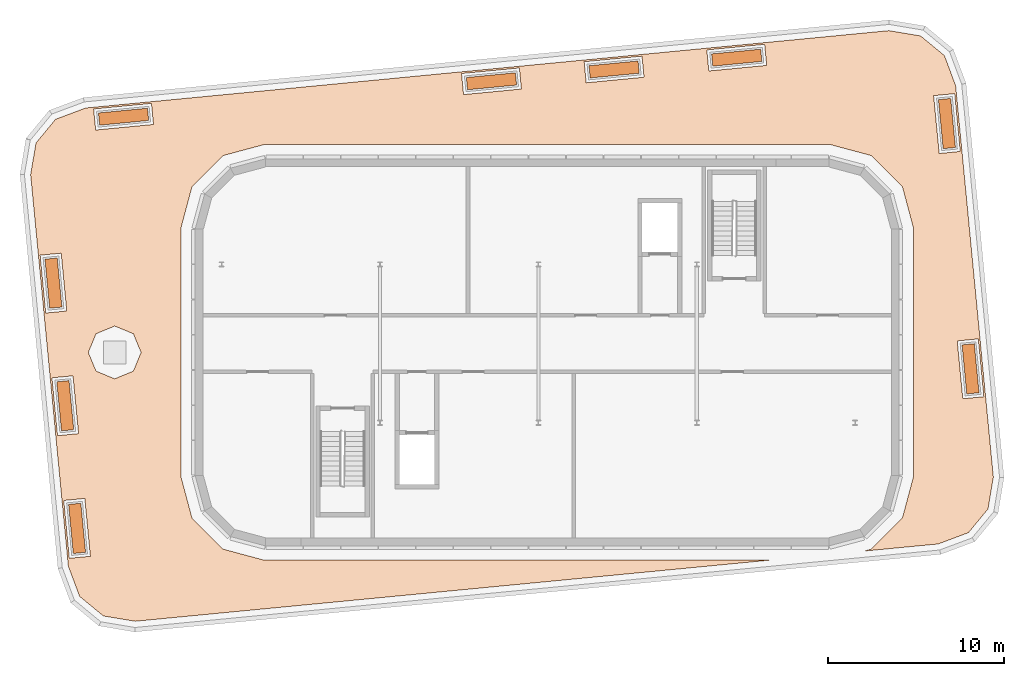
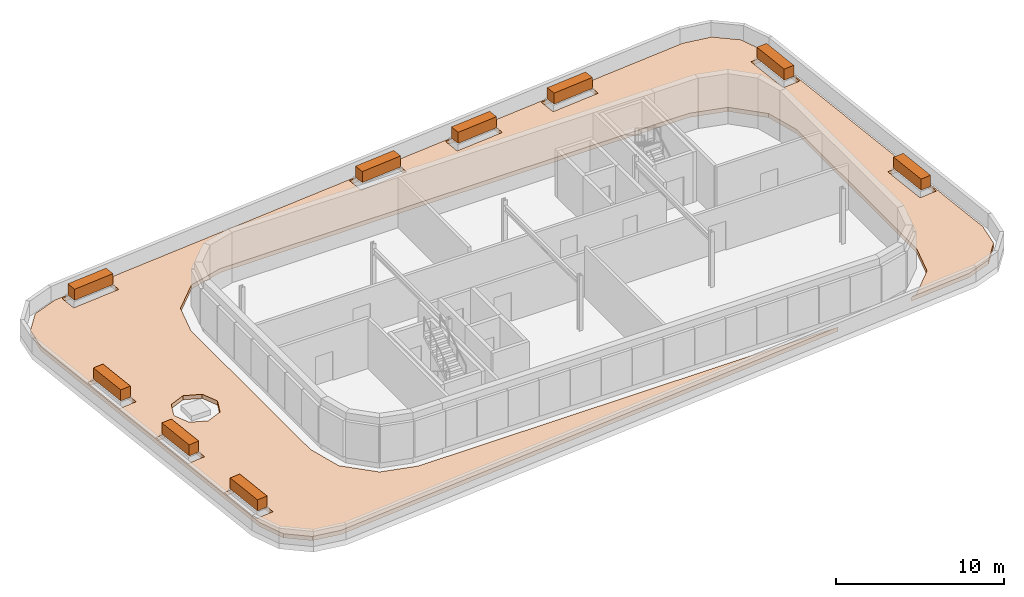
# One storey, part 6 of 6: 10 geographic elements.
"""IFC4 building model written with IfcOpenShell, lengths in metres."""

import ifcopenshell
import ifcopenshell.guid

model = None  # the IFC model being written
_history = None  # IfcOwnerHistory: only IFC2X3 demands one
_inside = {}  # id of a spatial element -> (the spatial element, [elements in it])
_under = {}  # id of a project, library or spatial element -> (it, [spatial elements below it])
_declared = {}  # id of a project -> (the project, [libraries it declares])
_typed = {}  # id of a type object -> (the type object, [elements of that type])
_made_of = {}  # id of a material, layer set ... -> (it, [elements and type objects made of it])


def new_model(schema):
    """Start an empty IFC model of exactly this schema.

    Asked for "IFC4X3", IfcOpenShell would pick the latest addendum, in which some entities
    have other attributes; the version numbers below select the first issue.
    IFC2X3 requires an IfcOwnerHistory on every rooted entity: one is made here for all.
    """
    global model, _history
    if schema == "IFC4X3":
        model = ifcopenshell.file(schema_version=(4, 3, 0, 0))
    else:
        model = ifcopenshell.file(schema=schema)
    _inside.clear()
    _under.clear()
    _declared.clear()
    _typed.clear()
    _made_of.clear()
    _history = None
    if model.schema == "IFC2X3":
        org = make("IfcOrganization", Name="unknown")
        user = make(
            "IfcPersonAndOrganization",
            ThePerson=make("IfcPerson", FamilyName="unknown"),
            TheOrganization=org,
        )
        app = make(
            "IfcApplication",
            ApplicationDeveloper=org,
            Version="unknown",
            ApplicationFullName="unknown",
            ApplicationIdentifier="unknown",
        )
        _history = make(
            "IfcOwnerHistory",
            OwningUser=user,
            OwningApplication=app,
            ChangeAction="ADDED",
            CreationDate=0,
        )
    return model


def make(cls, **values):
    """One entity of the class cls with the attributes given. An attribute that is None is left unset."""
    return model.create_entity(
        cls, **{name: value for name, value in values.items() if value is not None}
    )


def rooted(cls, **values):
    """An entity with a GlobalId (a new one), such as an element, a storey or a relation."""
    return make(cls, GlobalId=ifcopenshell.guid.new(), OwnerHistory=_history, **values)


def si_unit(unit_type, name, prefix=None):
    """IfcSIUnit, for example si_unit("LENGTHUNIT", "METRE", prefix="MILLI")."""
    return make("IfcSIUnit", UnitType=unit_type, Prefix=prefix, Name=name)


def assignment(units):
    """IfcUnitAssignment: the units of a project."""
    return None if units is None else make("IfcUnitAssignment", Units=units)


def point(xyz):
    """IfcCartesianPoint."""
    return None if xyz is None else make("IfcCartesianPoint", Coordinates=xyz)


def direction(xyz):
    """IfcDirection."""
    return None if xyz is None else make("IfcDirection", DirectionRatios=xyz)


def frame(location, z_axis=None, x_axis=None):
    """IfcAxis2Placement3D, a coordinate frame: its origin and axes. An axis left out is left unset."""
    return make(
        "IfcAxis2Placement3D",
        Location=point(location),
        Axis=direction(z_axis),
        RefDirection=direction(x_axis),
    )


def frame_2d(location, x_axis=None):
    """IfcAxis2Placement2D, a coordinate frame in the plane: its origin and x axis."""
    return make(
        "IfcAxis2Placement2D", Location=point(location), RefDirection=direction(x_axis)
    )


def origin():
    """The frame at (0, 0, 0) with its axes left unset."""
    return frame((0.0, 0.0, 0.0))


def origin_2d():
    """The frame at (0, 0) in the plane with its x axis left unset."""
    return frame_2d((0.0, 0.0))


def place(relative_to, where):
    """IfcLocalPlacement: puts the frame where relative to a parent placement (None: the world)."""
    return make(
        "IfcLocalPlacement", PlacementRelTo=relative_to, RelativePlacement=where
    )


def context(
    kind, dimensions, precision=None, world=None, true_north=None, identifier=None
):
    """IfcGeometricRepresentationContext, for example the 3D "Model" context."""
    return make(
        "IfcGeometricRepresentationContext",
        ContextIdentifier=identifier,
        ContextType=kind,
        CoordinateSpaceDimension=dimensions,
        Precision=precision,
        WorldCoordinateSystem=world,
        TrueNorth=true_north,
    )


def subcontext(parent, identifier, kind, view, scale=None):
    """IfcGeometricRepresentationSubContext, for example "Body" below "Model"."""
    return make(
        "IfcGeometricRepresentationSubContext",
        ContextIdentifier=identifier,
        ContextType=kind,
        ParentContext=parent,
        TargetScale=scale,
        TargetView=view,
    )


def project(units=None, contexts=None):
    """IfcProject with its units and contexts."""
    return rooted(
        "IfcProject",
        Name="project",
        RepresentationContexts=contexts,
        UnitsInContext=assignment(units),
    )


def spatial(cls, under=None, at=None, **own):
    """A site, building, storey or space (cls), placed at a placement, below another one or the project."""
    s = rooted(cls, ObjectPlacement=at, **own)
    if under is not None:
        _under.setdefault(under.id(), (under, []))[1].append(s)
    return s


def polyline(points):
    """IfcPolyline through the points."""
    return make("IfcPolyline", Points=[point(p) for p in points])


def profile(cls, at=None, kind="AREA", **sizes):
    """A parametric profile (cls). Its sizes go by their IFC names, for example OverallWidth=200.0."""
    return make(cls, ProfileType=kind, Position=at, **sizes)


def rectangle(**sizes):
    """IfcRectangleProfileDef."""
    return profile("IfcRectangleProfileDef", **sizes)


def outline(outer, holes=None, kind="AREA"):
    """IfcArbitraryClosedProfileDef: a profile drawn as a closed curve; with holes, ...WithVoids."""
    if holes is None:
        return make("IfcArbitraryClosedProfileDef", ProfileType=kind, OuterCurve=outer)
    return make(
        "IfcArbitraryProfileDefWithVoids",
        ProfileType=kind,
        OuterCurve=outer,
        InnerCurves=holes,
    )


def extrude(swept, where, along, depth):
    """IfcExtrudedAreaSolid: the profile swept, set in the frame where, extruded along a direction by depth."""
    return make(
        "IfcExtrudedAreaSolid",
        SweptArea=swept,
        Position=where,
        ExtrudedDirection=direction(along),
        Depth=depth,
    )


def shape(context_of_items, identifier, shape_type, items):
    """IfcShapeRepresentation: the items that make up one representation, for example the "Body"."""
    return make(
        "IfcShapeRepresentation",
        ContextOfItems=context_of_items,
        RepresentationIdentifier=identifier,
        RepresentationType=shape_type,
        Items=items,
    )


def made_of(thing, what):
    """Note that an element or type object is made of a material, layer set ...; save() writes the relation."""
    if what is not None:
        _made_of.setdefault(what.id(), (what, []))[1].append(thing)
    return thing


def element(
    cls,
    number,
    at=None,
    inside=None,
    cuts=None,
    type_object=None,
    material=None,
    context=None,
    identifier="Body",
    shape_type=None,
    held_by="IfcProductDefinitionShape",
    body=None,
    shapes=None,
    **own,
):
    """One element of the class cls, such as IfcWall. Its Tag is "e" and its number.

    at: its placement. inside: the storey or other place that contains it. cuts: it is an
    opening in that element (IfcRelVoidsElement). A single representation is given by context,
    identifier, shape_type and body (its items); several are given by shapes. held_by: the class
    of the entity that holds the representations. save() writes the other relations.
    """
    e = rooted(cls, Tag="e%d" % number, ObjectPlacement=at, **own)
    if body is not None:
        shapes = [shape(context, identifier, shape_type, body)]
    if shapes is not None:
        e.Representation = make(held_by, Representations=shapes)
    if inside is not None:
        _inside.setdefault(inside.id(), (inside, []))[1].append(e)
    if cuts is not None:
        rooted(
            "IfcRelVoidsElement", RelatingBuildingElement=cuts, RelatedOpeningElement=e
        )
    if type_object is not None:
        _typed.setdefault(type_object.id(), (type_object, []))[1].append(e)
    return made_of(e, material)


def aggregate(whole, parts):
    """IfcRelAggregates: a whole, such as a stair, and the parts it consists of."""
    return rooted("IfcRelAggregates", RelatingObject=whole, RelatedObjects=parts)


def save(model, path):
    """Write the relations noted so far, then the file.

    IfcRelAggregates (storeys below a building ...), IfcRelContainedInSpatialStructure (elements
    in a storey), IfcRelDefinesByType, IfcRelAssociatesMaterial and IfcRelDeclares: one each for
    every whole, place, type object, material and project.
    """
    for whole, parts in _under.values():
        aggregate(whole, parts)
    for where, things in _inside.values():
        rooted(
            "IfcRelContainedInSpatialStructure",
            RelatedElements=things,
            RelatingStructure=where,
        )
    for kind, things in _typed.values():
        rooted("IfcRelDefinesByType", RelatedObjects=things, RelatingType=kind)
    for what, things in _made_of.values():
        rooted("IfcRelAssociatesMaterial", RelatedObjects=things, RelatingMaterial=what)
    for by, libraries in _declared.values():
        rooted("IfcRelDeclares", RelatingContext=by, RelatedDefinitions=libraries)
    model.write(path)


model = new_model("IFC4")

# Units and contexts
model_context = context("Model", 3, precision=1e-05, world=origin(), true_north=direction((0.0, 1.0)))
body_context = subcontext(model_context, "Body", "Model", "MODEL_VIEW")
ifc_project = project(units=[si_unit("LENGTHUNIT", "METRE"), si_unit("AREAUNIT", "SQUARE_METRE"), si_unit("VOLUMEUNIT", "CUBIC_METRE"), si_unit("PLANEANGLEUNIT", "RADIAN"), si_unit("MASSUNIT", "GRAM", prefix="KILO")], contexts=[model_context])

# Site, building, storey
site_placement = place(None, origin())
site = spatial("IfcSite", under=ifc_project, at=site_placement, CompositionType="ELEMENT")
building_placement = place(site_placement, origin())
building = spatial("IfcBuilding", under=site, at=building_placement, Name="Kajstack Hotel Tower", CompositionType="ELEMENT")
storey_placement = place(building_placement, frame((0.0, 0.0, 325.800048828125)))
storey = spatial("IfcBuildingStorey", under=building, at=storey_placement, Name="L82", CompositionType="ELEMENT", Elevation=325.800048828125)

# Geographic elements
for number, where, z_axis, x_axis, name in (
    (1, (-23.570068359375, 12.889404296875, 0.60009765625), (0.0, 0.0, 1.0), (0.99539622346, 0.095845491926, 0.0), "Planting L82-01-01"),
    (2, (-2.666748046875, 14.902099609375, 0.60009765625), (0.0, 0.0, 1.0), (0.99539622346, 0.095845491926, 0.0), "Planting L82-01-02"),
    (3, (4.301025390625, 15.572998046875, 0.60009765625), (0.0, 0.0, 1.0), (0.99539622346, 0.095845491926, 0.0), "Planting L82-01-03"),
    (4, (11.268798828125, 16.243896484375, 0.60009765625), (0.0, 0.0, 1.0), (0.99539622346, 0.095845491926, 0.0), "Planting L82-01-04"),
    (5, (23.21142578125, 12.500244140625, 0.60009765625), (0.0, 0.0, 1.0), (0.095848914395, -0.995395893908, 0.0), "Planting L82-01-05"),
    (6, (24.553466796875, -1.435302734375, 0.60009765625), (0.0, 0.0, 1.0), (0.095848914395, -0.995395893908, 0.0), "Planting L82-01-06"),
    (7, (-26.21142578125, -10.500244140625, 0.60009765625), (0.0, 0.0, 1.0), (-0.095848914395, 0.995395893908, 0.0), "Planting L82-01-07"),
    (8, (-26.88232421875, -3.532470703125, 0.60009765625), (0.0, 0.0, 1.0), (-0.095848914395, 0.995395893908, 0.0), "Planting L82-01-08"),
    (9, (-27.553466796875, 3.435302734375, 0.60009765625), (0.0, 0.0, 1.0), (-0.095848914395, 0.995395893908, 0.0), "Planting L82-01-09"),
):
    element("IfcGeographicElement", number, at=place(storey_placement, frame(where, z_axis=z_axis, x_axis=x_axis)), inside=storey, Name=name, ObjectType="PLANTING", PredefinedType="USERDEFINED", context=body_context, shape_type="SweptSolid", body=[
        extrude(rectangle(XDim=2.800048828125, YDim=0.699951171875, at=origin_2d()), origin(), (0.0, 0.0, 1.0), 0.800048828125),
    ])
geographic_element_placement = place(storey_placement, origin())
element("IfcGeographicElement", 10, at=geographic_element_placement, inside=storey, Name="Green roof L82-01-01", ObjectType="PLANTING", PredefinedType="USERDEFINED", context=body_context, shape_type="SweptSolid", body=[
    extrude(outline(polyline([(22.7197265625, -11.3857421875), (24.4345703125, -10.744384765625), (25.546875, -9.39501953125), (25.84912109375, -7.58935546875), (23.707763671875, 14.64990234375), (23.066650390625, 16.36474609375), (21.717041015625, 17.477294921875), (19.911376953125, 17.779296875), (-25.7197265625, 13.3857421875), (-27.4345703125, 12.744384765625), (-28.546875, 11.39501953125), (-28.84912109375, 9.58935546875), (-26.707763671875, -12.64990234375), (-26.066650390625, -14.36474609375), (-24.717041015625, -15.477294921875), (-22.911376953125, -15.779296875), (13.19189453125, -12.302978515625), (13.19189453125, -12.300048828125), (-15.605224609375, -12.300048828125), (-17.9140625, -11.681396484375), (-19.681396484375, -9.9140625), (-20.300048828125, -7.605224609375), (-20.300048828125, 6.605224609375), (-19.681396484375, 8.9140625), (-17.9140625, 10.681396484375), (-15.605224609375, 11.300048828125), (16.605224609375, 11.300048828125), (18.9140625, 10.681396484375), (20.681396484375, 8.9140625), (21.300048828125, 6.605224609375), (21.300048828125, -7.605224609375), (20.681396484375, -9.9140625), (18.9140625, -11.681396484375), (18.515869140625, -11.7880859375), (18.516357421875, -11.790283203125), (22.7197265625, -11.3857421875)]), holes=[polyline([(24.1142578125, -3.13525390625), (23.798095703125, 0.149658203125), (24.992431640625, 0.2646484375), (25.308837890625, -3.020263671875), (24.1142578125, -3.13525390625)]), polyline([(23.966796875, 10.915283203125), (22.7724609375, 10.80029296875), (22.4560546875, 14.085205078125), (23.650634765625, 14.2001953125), (23.966796875, 10.915283203125)]), polyline([(9.56884765625, 16.68310546875), (12.853759765625, 16.999267578125), (12.96875, 15.804931640625), (9.683837890625, 15.488525390625), (9.56884765625, 16.68310546875)]), polyline([(2.716064453125, 14.817626953125), (2.60107421875, 16.01220703125), (5.885986328125, 16.328369140625), (6.0009765625, 15.134033203125), (2.716064453125, 14.817626953125)]), polyline([(-0.966796875, 14.463134765625), (-4.251708984375, 14.146728515625), (-4.36669921875, 15.34130859375), (-1.081787109375, 15.657470703125), (-0.966796875, 14.463134765625)]), polyline([(-21.985107421875, 13.644775390625), (-21.8701171875, 12.4501953125), (-25.155029296875, 12.134033203125), (-25.27001953125, 13.328369140625), (-21.985107421875, 13.644775390625)]), polyline([(-23.013427734375, 0.556396484375), (-22.573974609375, -0.504150390625), (-23.013427734375, -1.56494140625), (-24.073974609375, -2.004150390625), (-25.134765625, -1.56494140625), (-25.573974609375, -0.504150390625), (-25.134765625, 0.556396484375), (-24.073974609375, 0.995849609375), (-23.013427734375, 0.556396484375)]), polyline([(-25.4560546875, -12.085205078125), (-26.650634765625, -12.2001953125), (-26.966796875, -8.915283203125), (-25.7724609375, -8.80029296875), (-25.4560546875, -12.085205078125)]), polyline([(-27.321533203125, -5.232421875), (-27.637939453125, -1.947509765625), (-26.443359375, -1.83251953125), (-26.126953125, -5.117431640625), (-27.321533203125, -5.232421875)]), polyline([(-28.308837890625, 5.020263671875), (-27.1142578125, 5.13525390625), (-26.798095703125, 1.850341796875), (-27.992431640625, 1.7353515625), (-28.308837890625, 5.020263671875)])]), origin(), (0.0, 0.0, 1.0), 0.300048828125),
])

save(model, "model.ifc")
